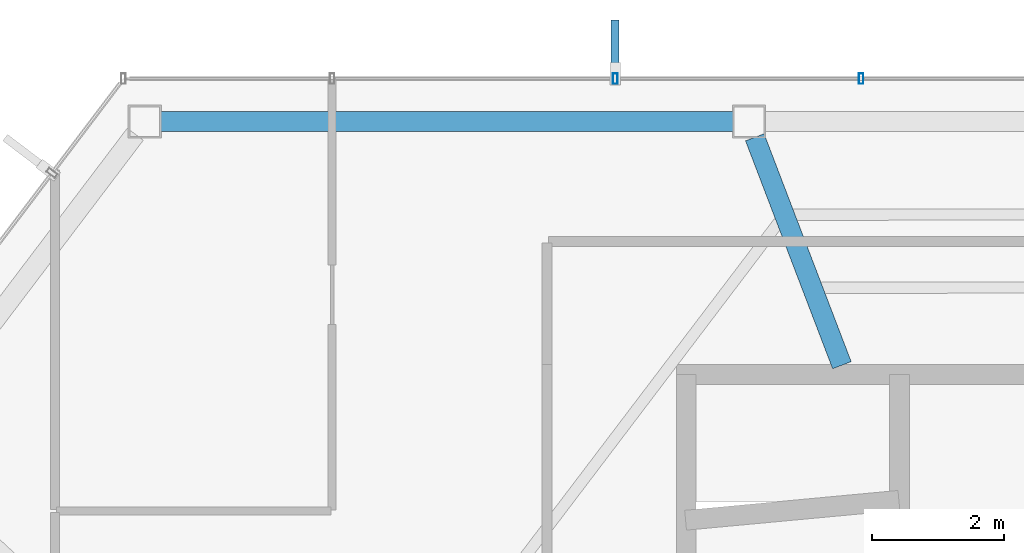
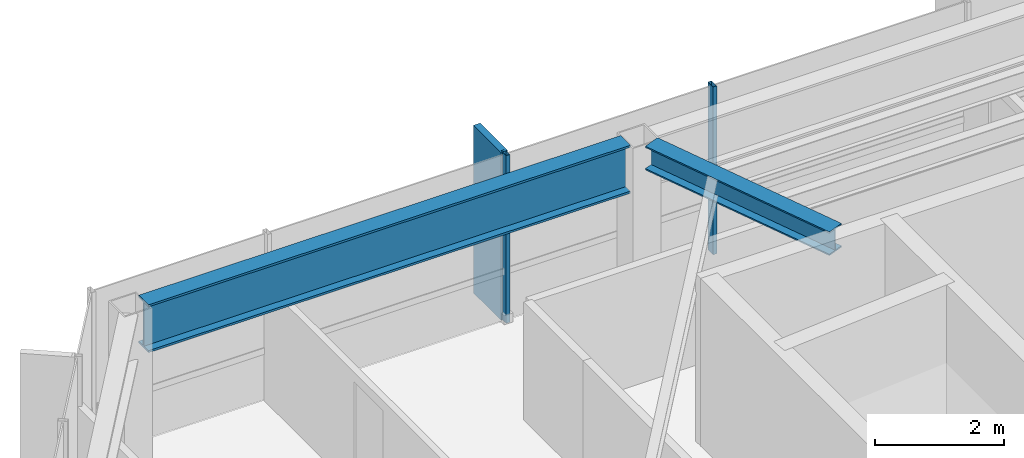
# One storey, part 11 of 26: 3 members, 2 beams, 1 element without a shape of its own.
"""IFC4 building model written with IfcOpenShell, lengths in metres."""

from ifc_helpers import new_model, si_unit, direction, frame, origin, origin_2d, place, context, subcontext, project, spatial, rectangle, hollow_rectangle, i_section, extrude, material, layer, layer_set, material_profile, profile_set, type_object, element, aggregate, save


model = new_model("IFC4")

# Units and contexts
model_context = context("Model", 3, precision=1e-05, world=origin(), true_north=direction((0.0, 1.0)))
body_context = subcontext(model_context, "Body", "Model", "MODEL_VIEW")
ifc_project = project(units=[si_unit("LENGTHUNIT", "METRE"), si_unit("AREAUNIT", "SQUARE_METRE"), si_unit("VOLUMEUNIT", "CUBIC_METRE"), si_unit("PLANEANGLEUNIT", "RADIAN"), si_unit("MASSUNIT", "GRAM", prefix="KILO")], contexts=[model_context])

# Site, building, storey
site_placement = place(None, origin())
site = spatial("IfcSite", under=ifc_project, at=site_placement, CompositionType="ELEMENT")
building_placement = place(site_placement, origin())
building = spatial("IfcBuilding", under=site, at=building_placement, Name="Zarrinselat Tower", CompositionType="ELEMENT")
storey_placement = place(building_placement, frame((0.0, 0.0, 258.39990234375)))
storey = spatial("IfcBuildingStorey", under=building, at=storey_placement, Name="L65", CompositionType="ELEMENT", Elevation=258.39990234375)

# Beams
ifc_material_1 = material(Name="Steel S355J2", Category="steel")
ifc_material_profile_1 = material_profile(ifc_material_1, i_section(OverallWidth=0.300048828125, OverallDepth=0.449951171875, WebThickness=0.013916015625, FlangeThickness=0.02587890625, at=origin_2d()), Name="HEB 450")
ifc_profile_set_1 = profile_set([ifc_material_profile_1], Name="Steel S355J2")
beam_type_1 = type_object("IfcBeamType", Name="BM-HEB450", PredefinedType="BEAM", material=ifc_profile_set_1)
beam_1_placement = place(storey_placement, frame((29.68505859375, 46.981201171875, 2.955078125), z_axis=(0.356948692239, -0.934123991293, 0.0), x_axis=(0.934123991293, 0.356948692239, 0.0)))
element("IfcBeam", 1, at=beam_1_placement, inside=storey, type_object=beam_type_1, Name="L65 Radial Primary Girder RG04", PredefinedType="BEAM", context=body_context, shape_type="SweptSolid", body=[
    extrude(i_section(OverallWidth=0.300048828125, OverallDepth=0.449951171875, WebThickness=0.013916015625, FlangeThickness=0.02587890625, at=origin_2d()), origin(), (0.0, 0.0, 1.0), 3.683837890625),
])
ifc_material_2 = material(Name="Steel S460M", Category="steel")
ifc_material_profile_2 = material_profile(ifc_material_2, i_section(OverallWidth=0.302001953125, OverallDepth=0.909912109375, WebThickness=0.02099609375, FlangeThickness=0.0400390625, at=origin_2d()), Name="HEM 900")
ifc_profile_set_2 = profile_set([ifc_material_profile_2], Name="Steel S460M")
beam_type_2 = type_object("IfcBeamType", Name="BM-HEM900", PredefinedType="BEAM", material=ifc_profile_set_2)
beam_2_placement = place(storey_placement, frame((20.71435546875, 47.216796875, 2.72509765625), z_axis=(1.0, 0.0, 0.0), x_axis=(0.0, 1.0, 0.0)))
element("IfcBeam", 2, at=beam_2_placement, inside=storey, type_object=beam_type_2, Name="L65 Perimeter Spandrel Girder SP04", PredefinedType="BEAM", context=body_context, shape_type="SweptSolid", body=[
    extrude(i_section(OverallWidth=0.302001953125, OverallDepth=0.909912109375, WebThickness=0.02099609375, FlangeThickness=0.0400390625, at=origin_2d()), origin(), (0.0, 0.0, 1.0), 8.642822265625),
])

# Curtain wall, members
ifc_material_3 = material(Name="Extruded Aluminium Alloy EN AW-6063 T6", Category="aluminium")
ifc_layer = layer(ifc_material_3, 0.169921875)
ifc_layer_set = layer_set([ifc_layer], Name="Extruded Aluminium Alloy EN AW-6063 T6")
curtain_wall_type = type_object("IfcCurtainWallType", Name="CWS-RES", PredefinedType="NOTDEFINED", material=ifc_layer_set)
curtain_wall_placement = place(storey_placement, origin())
curtain_wall = element("IfcCurtainWall", 3, at=curtain_wall_placement, inside=storey, type_object=curtain_wall_type, Name="L65 Unitised Curtain Wall CW-L65-E01", PredefinedType="NOTDEFINED")
ifc_material_4 = material(Name="Extruded Aluminium Alloy EN AW-6063 T6", Category="aluminium")
ifc_material_profile_3 = material_profile(ifc_material_4, hollow_rectangle(XDim=0.070068359375, YDim=0.159912109375, WallThickness=0.00390625, at=origin_2d()), Name="RHS 160x70x4")
ifc_profile_set_3 = profile_set([ifc_material_profile_3], Name="Extruded Aluminium Alloy EN AW-6063 T6")
member_type_1 = type_object("IfcMemberType", Name="MEM-CW-MUL2", PredefinedType="MULLION", material=ifc_profile_set_3)
member_1_placement = place(storey_placement, frame((31.289794921875, 47.86669921875, 0.0), z_axis=(0.0, 0.0, 1.0), x_axis=(-1.0, 0.0, 0.0)))
member_1 = element("IfcMember", 4, at=member_1_placement, type_object=member_type_1, Name="CW-L65-E01 Mullion 8", PredefinedType="MULLION", context=body_context, shape_type="SweptSolid", body=[
    extrude(hollow_rectangle(XDim=0.070068359375, YDim=0.159912109375, WallThickness=0.00390625, at=origin_2d()), origin(), (0.0, 0.0, 1.0), 3.18017578125),
])
member_2_placement = place(storey_placement, frame((27.57763671875, 47.86669921875, 0.0), z_axis=(0.0, 0.0, 1.0), x_axis=(-1.0, 0.0, 0.0)))
member_2 = element("IfcMember", 5, at=member_2_placement, type_object=member_type_1, Name="CW-L65-E01 Mullion 9", PredefinedType="MULLION", context=body_context, shape_type="SweptSolid", body=[
    extrude(hollow_rectangle(XDim=0.070068359375, YDim=0.159912109375, WallThickness=0.00390625, at=origin_2d()), origin(), (0.0, 0.0, 1.0), 3.18017578125),
])
ifc_material_5 = material(Name="Honed Cream Travertine Stone", Category="masonry")
ifc_material_profile_4 = material_profile(ifc_material_5, rectangle(XDim=0.1201171875, YDim=0.85009765625, at=origin_2d()), Name="FIN 850x120")
ifc_profile_set_4 = profile_set([ifc_material_profile_4], Name="Honed Cream Travertine Stone")
member_type_2 = type_object("IfcMemberType", Name="MEM-STONE-FIN", PredefinedType="USERDEFINED", material=ifc_profile_set_4)
member_3_placement = place(storey_placement, frame((27.57763671875, 48.32666015625, 0.0), z_axis=(0.0, 0.0, 1.0), x_axis=(1.0, 0.0, 0.0)))
member_3 = element("IfcMember", 6, at=member_3_placement, type_object=member_type_2, Name="L65 Stone Shading Fin CW-L65-E01-09", ObjectType="FIN", PredefinedType="USERDEFINED", context=body_context, shape_type="SweptSolid", body=[
    extrude(rectangle(XDim=0.1201171875, YDim=0.85009765625, at=origin_2d()), origin(), (0.0, 0.0, 1.0), 3.18017578125),
])
aggregate(curtain_wall, [member_1, member_2, member_3])

save(model, "model.ifc")
